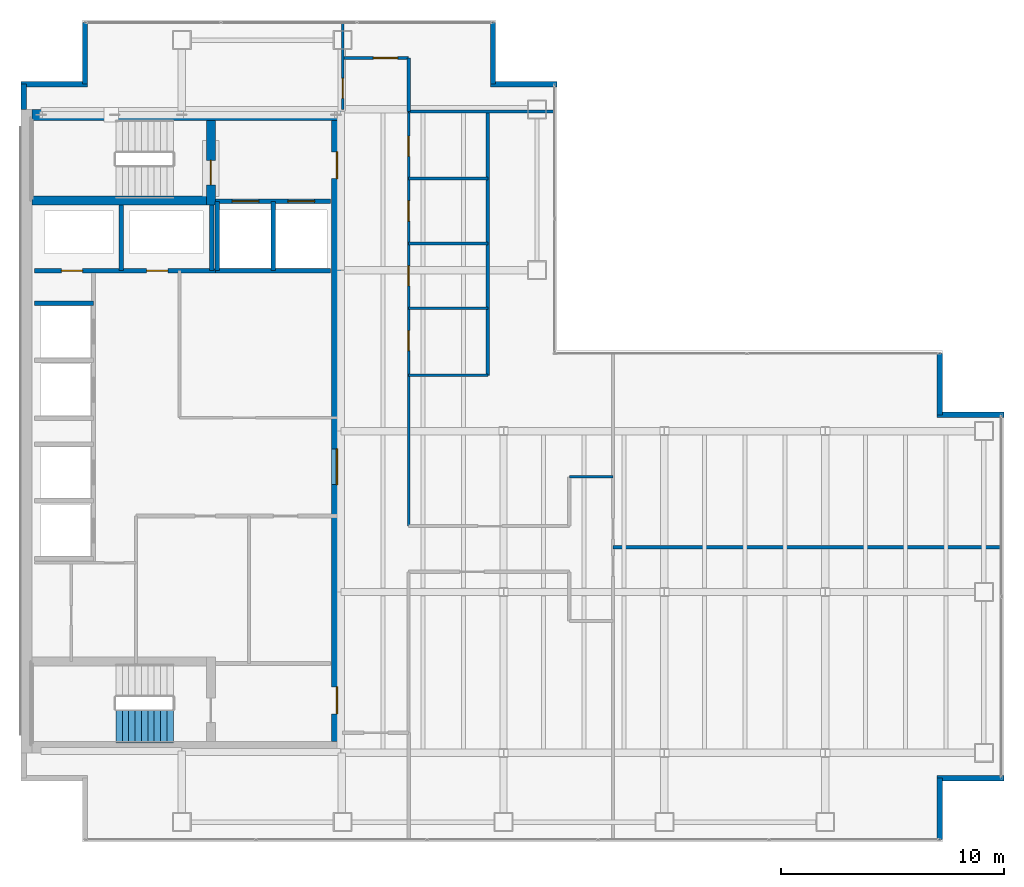
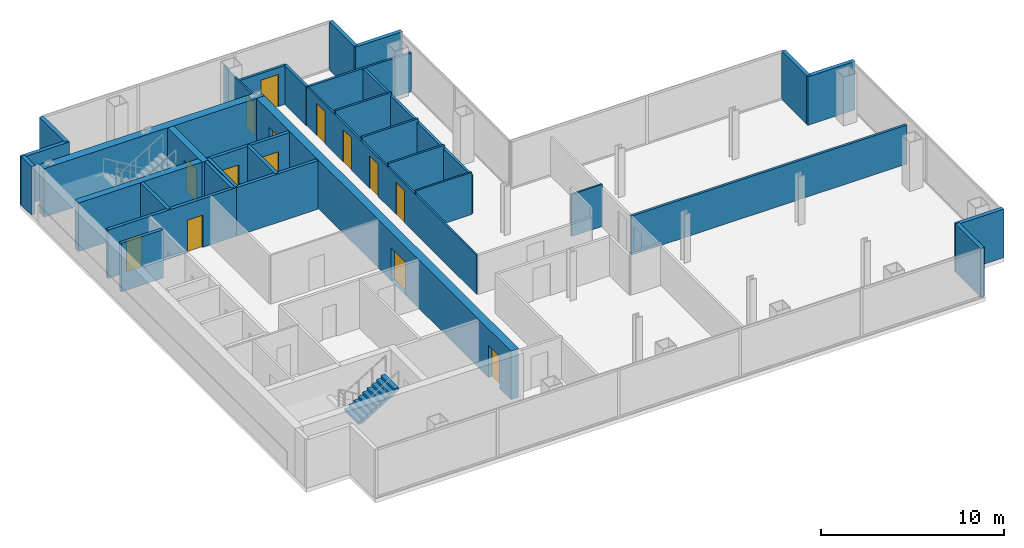
# One storey, part 21 of 23: 33 walls, 14 doors, 1 stair flight, 14 openings, 1 element without a shape of its own.
"""IFC4 building model written with IfcOpenShell, lengths in metres."""

from ifc_helpers import new_model, si_unit, direction, frame, frame_2d, origin, place, context, subcontext, project, spatial, polyline, rectangle, outline, extrude, material, layer, layer_set, type_object, element, fill, aggregate, save


model = new_model("IFC4")

# Units and contexts
model_context = context("Model", 3, precision=1e-05, world=origin(), true_north=direction((0.0, 1.0)))
body_context = subcontext(model_context, "Body", "Model", "MODEL_VIEW")
ifc_project = project(units=[si_unit("LENGTHUNIT", "METRE"), si_unit("AREAUNIT", "SQUARE_METRE"), si_unit("VOLUMEUNIT", "CUBIC_METRE"), si_unit("PLANEANGLEUNIT", "RADIAN"), si_unit("MASSUNIT", "GRAM", prefix="KILO")], contexts=[model_context])

# Site, building, storey
site_placement = place(None, origin())
site = spatial("IfcSite", under=ifc_project, at=site_placement, CompositionType="ELEMENT")
building_placement = place(site_placement, origin())
building = spatial("IfcBuilding", under=site, at=building_placement, Name="Cobrela Telecom Tower", CompositionType="ELEMENT")
storey_placement = place(building_placement, frame((0.0, 0.0, 180.25)))
storey = spatial("IfcBuildingStorey", under=building, at=storey_placement, Name="L45", CompositionType="ELEMENT", Elevation=180.25)

# Wall
ifc_material_1 = material(Name="Concrete C40/50", Category="concrete")
ifc_layer_1 = layer(ifc_material_1, 0.5)
ifc_layer_set_1 = layer_set([ifc_layer_1], Name="Concrete C40/50")
wall_type_1 = type_object("IfcWallType", Name="WALL-CORE-C40-500", PredefinedType="SHEAR", material=ifc_layer_set_1)
wall_1_placement = place(storey_placement, frame((0.5, 35.75, 0.0), z_axis=(0.0, 0.0, 1.0), x_axis=(1.0, 0.0, 0.0)))
element("IfcWall", 1, at=wall_1_placement, inside=storey, type_object=wall_type_1, Name="L45 North Core Shear Wall", PredefinedType="SHEAR", context=body_context, shape_type="SweptSolid", body=[
    extrude(rectangle(XDim=13.89990234375, YDim=0.5, at=frame_2d((6.949951171875, 0.0))), origin(), (0.0, 0.0, 1.0), 3.239990234375),
])

# Wall, openings, doors
wall_2_placement = place(storey_placement, frame((14.14990234375, 35.5, 0.0), z_axis=(0.0, 0.0, 1.0), x_axis=(0.0, -1.0, 0.0)))
wall_2 = element("IfcWall", 2, at=wall_2_placement, inside=storey, type_object=wall_type_1, Name="L45 East Core Shear Wall", PredefinedType="SHEAR", context=body_context, shape_type="SweptSolid", body=[
    extrude(rectangle(XDim=27.800048828125, YDim=0.5, at=frame_2d((13.89990234375, 0.0))), origin(), (0.0, 0.0, 1.0), 3.239990234375),
])
opening_1_placement = place(wall_2_placement, frame((1.39990234375, 0.0, 0.0)))
opening_1 = element("IfcOpeningElement", 3, at=opening_1_placement, cuts=wall_2, Name="Opening DR-19", PredefinedType="OPENING", context=body_context, shape_type="SweptSolid", body=[
    extrude(rectangle(XDim=1.199951171875, YDim=2.14990234375, at=frame_2d((0.60009765625, 1.074951171875))), frame((0.0, 0.261962890625, 0.0), z_axis=(0.0, -1.0, 0.0), x_axis=(1.0, 0.0, 0.0)), (0.0, 0.0, 1.0), 0.52392578125),
])
opening_2_placement = place(wall_2_placement, frame((25.35009765625, 0.0, 0.0)))
opening_2 = element("IfcOpeningElement", 4, at=opening_2_placement, cuts=wall_2, Name="Opening DR-19", PredefinedType="OPENING", context=body_context, shape_type="SweptSolid", body=[
    extrude(rectangle(XDim=1.199951171875, YDim=2.14990234375, at=frame_2d((0.60009765625, 1.074951171875))), frame((0.0, 0.261962890625, 0.0), z_axis=(0.0, -1.0, 0.0), x_axis=(1.0, 0.0, 0.0)), (0.0, 0.0, 1.0), 0.52392578125),
])
opening_3_placement = place(wall_2_placement, frame((14.699951171875, 0.0, 0.0)))
opening_3 = element("IfcOpeningElement", 5, at=opening_3_placement, cuts=wall_2, Name="Opening DR-51", PredefinedType="OPENING", context=body_context, shape_type="SweptSolid", body=[
    extrude(rectangle(XDim=1.60009765625, YDim=2.199951171875, at=frame_2d((0.800048828125, 1.10009765625))), frame((0.0, 0.261962890625, 0.0), z_axis=(0.0, -1.0, 0.0), x_axis=(1.0, 0.0, 0.0)), (0.0, 0.0, 1.0), 0.52392578125),
])
ifc_material_2 = material(Name="Steel ASTM A36", Category="steel")
door_type_1 = type_object("IfcDoorType", Name="DOOR-FD60-1200", OperationType="SINGLE_SWING_LEFT", PredefinedType="DOOR", material=ifc_material_2)
door_1_placement = place(opening_1_placement, origin())
door_1 = element("IfcDoor", 6, at=door_1_placement, inside=storey, type_object=door_type_1, Name="L45 Door DR-19", OperationType="SINGLE_SWING_LEFT", OverallHeight=2.14990234375, OverallWidth=1.199951171875, PredefinedType="DOOR", context=body_context, shape_type="SweptSolid", body=[
    extrude(rectangle(XDim=1.199951171875, YDim=2.14990234375, at=frame_2d((0.60009765625, 1.074951171875))), frame((0.0, 0.02490234375, 0.0), z_axis=(0.0, -1.0, 0.0), x_axis=(1.0, 0.0, 0.0)), (0.0, 0.0, 1.0), 0.050048828125),
])
fill(opening_1, door_1)
door_2_placement = place(opening_2_placement, origin())
door_2 = element("IfcDoor", 7, at=door_2_placement, inside=storey, type_object=door_type_1, Name="L45 Door DR-19", OperationType="SINGLE_SWING_RIGHT", OverallHeight=2.14990234375, OverallWidth=1.199951171875, PredefinedType="DOOR", context=body_context, shape_type="SweptSolid", body=[
    extrude(rectangle(XDim=1.199951171875, YDim=2.14990234375, at=frame_2d((0.60009765625, 1.074951171875))), frame((0.0, 0.02490234375, 0.0), z_axis=(0.0, -1.0, 0.0), x_axis=(1.0, 0.0, 0.0)), (0.0, 0.0, 1.0), 0.050048828125),
])
fill(opening_2, door_2)
door_type_2 = type_object("IfcDoorType", Name="DOOR-FD60-1600", OperationType="SINGLE_SWING_LEFT", PredefinedType="DOOR", material=ifc_material_2)
door_3_placement = place(opening_3_placement, origin())
door_3 = element("IfcDoor", 8, at=door_3_placement, inside=storey, type_object=door_type_2, Name="L45 Door DR-51", OperationType="DOUBLE_DOOR_SINGLE_SWING", OverallHeight=2.199951171875, OverallWidth=1.60009765625, PredefinedType="DOOR", context=body_context, shape_type="SweptSolid", body=[
    extrude(rectangle(XDim=1.60009765625, YDim=2.199951171875, at=frame_2d((0.800048828125, 1.10009765625))), frame((0.0, 0.02490234375, 0.0), z_axis=(0.0, -1.0, 0.0), x_axis=(1.0, 0.0, 0.0)), (0.0, 0.0, 1.0), 0.050048828125),
])
fill(opening_3, door_3)

# Walls
ifc_layer_2 = layer(ifc_material_1, 0.239990234375)
ifc_layer_set_2 = layer_set([ifc_layer_2], Name="Concrete C40/50")
wall_type_2 = type_object("IfcWallType", Name="WALL-EXT-300", PredefinedType="STANDARD", material=ifc_layer_set_2)
wall_3_placement = place(storey_placement, frame((0.1201171875, 36.0, 0.0), z_axis=(0.0, 0.0, 1.0), x_axis=(0.0, 1.0, 0.0)))
element("IfcWall", 9, at=wall_3_placement, inside=storey, type_object=wall_type_2, Name="L45 Insulated Facade Wall 04", PredefinedType="STANDARD", context=body_context, shape_type="SweptSolid", body=[
    extrude(rectangle(XDim=1.1298828125, YDim=0.239990234375, at=frame_2d((0.56494140625, 0.0))), origin(), (0.0, 0.0, 1.0), 3.239990234375),
])
wall_4_placement = place(storey_placement, frame((0.0, 37.1298828125, 0.0), z_axis=(0.0, 0.0, 1.0), x_axis=(1.0, 0.0, 0.0)))
element("IfcWall", 10, at=wall_4_placement, inside=storey, type_object=wall_type_2, Name="L45 Insulated Facade Wall 05", PredefinedType="STANDARD", context=body_context, shape_type="SweptSolid", body=[
    extrude(rectangle(XDim=2.989990234375, YDim=0.239990234375, at=frame_2d((1.4951171875, 0.0))), origin(), (0.0, 0.0, 1.0), 3.239990234375),
])
for number, where, z_axis, x_axis, name in (
    (11, (2.8701171875, 37.1298828125, 0.0), (0.0, 0.0, 1.0), (0.0, 1.0, 0.0), "L45 Insulated Facade Wall 06"),
    (12, (21.1298828125, 39.8798828125, 0.0), (0.0, 0.0, 1.0), (0.0, -1.0, 0.0), "L45 Insulated Facade Wall 08"),
):
    element("IfcWall", number, at=place(storey_placement, frame(where, z_axis=z_axis, x_axis=x_axis)), inside=storey, type_object=wall_type_2, Name=name, PredefinedType="STANDARD", context=body_context, shape_type="SweptSolid", body=[
        extrude(rectangle(XDim=2.75, YDim=0.239990234375, at=frame_2d((1.375, 0.0))), origin(), (0.0, 0.0, 1.0), 3.239990234375),
    ])
wall_5_placement = place(storey_placement, frame((21.010009765625, 37.1298828125, 0.0), z_axis=(0.0, 0.0, 1.0), x_axis=(1.0, 0.0, 0.0)))
element("IfcWall", 13, at=wall_5_placement, inside=storey, type_object=wall_type_2, Name="L45 Insulated Facade Wall 09", PredefinedType="STANDARD", context=body_context, shape_type="SweptSolid", body=[
    extrude(rectangle(XDim=2.989990234375, YDim=0.239990234375, at=frame_2d((1.4951171875, 0.0))), origin(), (0.0, 0.0, 1.0), 3.239990234375),
])
wall_6_placement = place(storey_placement, frame((41.1298828125, 25.080078125, 0.0), z_axis=(0.0, 0.0, 1.0), x_axis=(0.0, -1.0, 0.0)))
element("IfcWall", 14, at=wall_6_placement, inside=storey, type_object=wall_type_2, Name="L45 Insulated Facade Wall 12", PredefinedType="STANDARD", context=body_context, shape_type="SweptSolid", body=[
    extrude(rectangle(XDim=2.75, YDim=0.239990234375, at=frame_2d((1.375, 0.0))), origin(), (0.0, 0.0, 1.0), 3.239990234375),
])
for number, where, z_axis, x_axis, name in (
    (15, (41.010009765625, 22.330078125, 0.0), (0.0, 0.0, 1.0), (1.0, 0.0, 0.0), "L45 Insulated Facade Wall 13"),
    (16, (44.0, 6.070068359375, 0.0), (0.0, 0.0, 1.0), (-1.0, 0.0, 0.0), "L45 Insulated Facade Wall 15"),
):
    element("IfcWall", number, at=place(storey_placement, frame(where, z_axis=z_axis, x_axis=x_axis)), inside=storey, type_object=wall_type_2, Name=name, PredefinedType="STANDARD", context=body_context, shape_type="SweptSolid", body=[
        extrude(rectangle(XDim=2.989990234375, YDim=0.239990234375, at=frame_2d((1.4951171875, 0.0))), origin(), (0.0, 0.0, 1.0), 3.239990234375),
    ])
wall_7_placement = place(storey_placement, frame((41.1298828125, 6.070068359375, 0.0), z_axis=(0.0, 0.0, 1.0), x_axis=(0.0, -1.0, 0.0)))
element("IfcWall", 17, at=wall_7_placement, inside=storey, type_object=wall_type_2, Name="L45 Insulated Facade Wall 16", PredefinedType="STANDARD", context=body_context, shape_type="SweptSolid", body=[
    extrude(rectangle(XDim=2.75, YDim=0.239990234375, at=frame_2d((1.375, 0.0))), origin(), (0.0, 0.0, 1.0), 3.239990234375),
])

# Wall, openings, doors
ifc_material_3 = material(Name="Fire-Rated Gypsum Plasterboard")
ifc_layer_3 = layer(ifc_material_3, 0.110107421875)
ifc_layer_set_3 = layer_set([ifc_layer_3], Name="Fire-Rated Gypsum Plasterboard")
wall_type_3 = type_object("IfcWallType", Name="WALL-PART-110", PredefinedType="PARTITIONING", material=ifc_layer_set_3)
wall_8_placement = place(storey_placement, frame((17.35009765625, 17.35009765625, 0.0), z_axis=(0.0, 0.0, 1.0), x_axis=(0.0, 1.0, 0.0)))
wall_8 = element("IfcWall", 18, at=wall_8_placement, inside=storey, type_object=wall_type_3, Name="L45 Interior Partition W-C-E2", PredefinedType="PARTITIONING", context=body_context, shape_type="SweptSolid", body=[
    extrude(rectangle(XDim=18.5498046875, YDim=0.110107421875, at=frame_2d((9.27490234375, 0.0))), origin(), (0.0, 0.0, 1.0), 2.60302734375),
])
opening_4_placement = place(wall_8_placement, frame((7.85009765625, 0.0, 0.0)))
opening_4 = element("IfcOpeningElement", 19, at=opening_4_placement, cuts=wall_8, Name="Opening DR-41", PredefinedType="OPENING", context=body_context, shape_type="SweptSolid", body=[
    extrude(rectangle(XDim=0.89990234375, YDim=2.14990234375, at=frame_2d((0.449951171875, 1.074951171875))), frame((0.0, 0.06689453125, 0.0), z_axis=(0.0, -1.0, 0.0), x_axis=(1.0, 0.0, 0.0)), (0.0, 0.0, 1.0), 0.134033203125),
])
opening_5_placement = place(wall_8_placement, frame((10.75, 0.0, 0.0)))
opening_5 = element("IfcOpeningElement", 20, at=opening_5_placement, cuts=wall_8, Name="Opening DR-41", PredefinedType="OPENING", context=body_context, shape_type="SweptSolid", body=[
    extrude(rectangle(XDim=0.89990234375, YDim=2.14990234375, at=frame_2d((0.449951171875, 1.074951171875))), frame((0.0, 0.06689453125, 0.0), z_axis=(0.0, -1.0, 0.0), x_axis=(1.0, 0.0, 0.0)), (0.0, 0.0, 1.0), 0.134033203125),
])
opening_6_placement = place(wall_8_placement, frame((13.64990234375, 0.0, 0.0)))
opening_6 = element("IfcOpeningElement", 21, at=opening_6_placement, cuts=wall_8, Name="Opening DR-41", PredefinedType="OPENING", context=body_context, shape_type="SweptSolid", body=[
    extrude(rectangle(XDim=0.89990234375, YDim=2.14990234375, at=frame_2d((0.449951171875, 1.074951171875))), frame((0.0, 0.06689453125, 0.0), z_axis=(0.0, -1.0, 0.0), x_axis=(1.0, 0.0, 0.0)), (0.0, 0.0, 1.0), 0.134033203125),
])
opening_7_placement = place(wall_8_placement, frame((16.550048828125, 0.0, 0.0)))
opening_7 = element("IfcOpeningElement", 22, at=opening_7_placement, cuts=wall_8, Name="Opening DR-41", PredefinedType="OPENING", context=body_context, shape_type="SweptSolid", body=[
    extrude(rectangle(XDim=0.89990234375, YDim=2.14990234375, at=frame_2d((0.449951171875, 1.074951171875))), frame((0.0, 0.06689453125, 0.0), z_axis=(0.0, -1.0, 0.0), x_axis=(1.0, 0.0, 0.0)), (0.0, 0.0, 1.0), 0.134033203125),
])
ifc_material_4 = material(Name="Solid Engineered Oak Timber", Category="wood")
door_type_3 = type_object("IfcDoorType", Name="DOOR-INT-900", OperationType="SINGLE_SWING_LEFT", PredefinedType="DOOR", material=ifc_material_4)
door_4_placement = place(opening_4_placement, origin())
door_4 = element("IfcDoor", 23, at=door_4_placement, inside=storey, type_object=door_type_3, Name="L45 Door DR-41", OperationType="SINGLE_SWING_LEFT", OverallHeight=2.14990234375, OverallWidth=0.89990234375, PredefinedType="DOOR", context=body_context, shape_type="SweptSolid", body=[
    extrude(rectangle(XDim=0.89990234375, YDim=2.14990234375, at=frame_2d((0.449951171875, 1.074951171875))), frame((0.0, 0.02490234375, 0.0), z_axis=(0.0, -1.0, 0.0), x_axis=(1.0, 0.0, 0.0)), (0.0, 0.0, 1.0), 0.050048828125),
])
fill(opening_4, door_4)
door_5_placement = place(opening_5_placement, origin())
door_5 = element("IfcDoor", 24, at=door_5_placement, inside=storey, type_object=door_type_3, Name="L45 Door DR-41", OperationType="SINGLE_SWING_RIGHT", OverallHeight=2.14990234375, OverallWidth=0.89990234375, PredefinedType="DOOR", context=body_context, shape_type="SweptSolid", body=[
    extrude(rectangle(XDim=0.89990234375, YDim=2.14990234375, at=frame_2d((0.449951171875, 1.074951171875))), frame((0.0, 0.02490234375, 0.0), z_axis=(0.0, -1.0, 0.0), x_axis=(1.0, 0.0, 0.0)), (0.0, 0.0, 1.0), 0.050048828125),
])
fill(opening_5, door_5)
door_6_placement = place(opening_6_placement, origin())
door_6 = element("IfcDoor", 25, at=door_6_placement, inside=storey, type_object=door_type_3, Name="L45 Door DR-41", OperationType="SINGLE_SWING_LEFT", OverallHeight=2.14990234375, OverallWidth=0.89990234375, PredefinedType="DOOR", context=body_context, shape_type="SweptSolid", body=[
    extrude(rectangle(XDim=0.89990234375, YDim=2.14990234375, at=frame_2d((0.449951171875, 1.074951171875))), frame((0.0, 0.02490234375, 0.0), z_axis=(0.0, -1.0, 0.0), x_axis=(1.0, 0.0, 0.0)), (0.0, 0.0, 1.0), 0.050048828125),
])
fill(opening_6, door_6)
door_7_placement = place(opening_7_placement, origin())
door_7 = element("IfcDoor", 26, at=door_7_placement, inside=storey, type_object=door_type_3, Name="L45 Door DR-41", OperationType="SINGLE_SWING_RIGHT", OverallHeight=2.14990234375, OverallWidth=0.89990234375, PredefinedType="DOOR", context=body_context, shape_type="SweptSolid", body=[
    extrude(rectangle(XDim=0.89990234375, YDim=2.14990234375, at=frame_2d((0.449951171875, 1.074951171875))), frame((0.0, 0.02490234375, 0.0), z_axis=(0.0, -1.0, 0.0), x_axis=(1.0, 0.0, 0.0)), (0.0, 0.0, 1.0), 0.050048828125),
])
fill(opening_7, door_7)

# Wall
wall_9_placement = place(storey_placement, frame((24.550048828125, 19.550048828125, 0.0), z_axis=(0.0, 0.0, 1.0), x_axis=(1.0, 0.0, 0.0)))
element("IfcWall", 27, at=wall_9_placement, inside=storey, type_object=wall_type_3, Name="L45 Interior Partition W-CT-N", PredefinedType="PARTITIONING", context=body_context, shape_type="SweptSolid", body=[
    extrude(rectangle(XDim=1.949951171875, YDim=0.110107421875, at=frame_2d((0.97509765625, 0.0))), origin(), (0.0, 0.0, 1.0), 2.80810546875),
])

# Wall, opening, door
wall_10_placement = place(storey_placement, frame((14.39990234375, 36.0, 0.0), z_axis=(0.0, 0.0, 1.0), x_axis=(0.0, 1.0, 0.0)))
wall_10 = element("IfcWall", 28, at=wall_10_placement, inside=storey, type_object=wall_type_3, Name="L45 Interior Partition W-CN-W", PredefinedType="PARTITIONING", context=body_context, shape_type="SweptSolid", body=[
    extrude(rectangle(XDim=3.8798828125, YDim=0.110107421875, at=frame_2d((1.93994140625, 0.0))), origin(), (0.0, 0.0, 1.0), 2.60302734375),
])
opening_8_placement = place(wall_10_placement, frame((0.489990234375, 0.0, 0.0)))
opening_8 = element("IfcOpeningElement", 29, at=opening_8_placement, cuts=wall_10, Name="Opening DR-41", PredefinedType="OPENING", context=body_context, shape_type="SweptSolid", body=[
    extrude(rectangle(XDim=0.89990234375, YDim=2.14990234375, at=frame_2d((0.449951171875, 1.074951171875))), frame((0.0, 0.06689453125, 0.0), z_axis=(0.0, -1.0, 0.0), x_axis=(1.0, 0.0, 0.0)), (0.0, 0.0, 1.0), 0.134033203125),
])
door_8_placement = place(opening_8_placement, origin())
door_8 = element("IfcDoor", 30, at=door_8_placement, inside=storey, type_object=door_type_3, Name="L45 Door DR-41", OperationType="SINGLE_SWING_LEFT", OverallHeight=2.14990234375, OverallWidth=0.89990234375, PredefinedType="DOOR", context=body_context, shape_type="SweptSolid", body=[
    extrude(rectangle(XDim=0.89990234375, YDim=2.14990234375, at=frame_2d((0.449951171875, 1.074951171875))), frame((0.0, 0.02490234375, 0.0), z_axis=(0.0, -1.0, 0.0), x_axis=(1.0, 0.0, 0.0)), (0.0, 0.0, 1.0), 0.050048828125),
])
fill(opening_8, door_8)

# Walls
wall_11_placement = place(storey_placement, frame((17.35009765625, 24.10009765625, 0.0), z_axis=(0.0, 0.0, 1.0), x_axis=(1.0, 0.0, 0.0)))
element("IfcWall", 31, at=wall_11_placement, inside=storey, type_object=wall_type_3, Name="L45 Interior Partition W-WC-S", PredefinedType="PARTITIONING", context=body_context, shape_type="SweptSolid", body=[
    extrude(rectangle(XDim=3.5498046875, YDim=0.110107421875, at=frame_2d((1.77490234375, 0.0))), origin(), (0.0, 0.0, 1.0), 2.80810546875),
])
ifc_layer_4 = layer(ifc_material_3, 0.125)
ifc_layer_set_4 = layer_set([ifc_layer_4], Name="Fire-Rated Gypsum Plasterboard")
wall_type_4 = type_object("IfcWallType", Name="WALL-PART-125", PredefinedType="PARTITIONING", material=ifc_layer_set_4)
for number, where, z_axis, x_axis, name in (
    (32, (17.35009765625, 27.10009765625, 0.0), (0.0, 0.0, 1.0), (1.0, 0.0, 0.0), "L45 Interior Partition W-WCD-1"),
    (33, (17.35009765625, 30.0, 0.0), (0.0, 0.0, 1.0), (1.0, 0.0, 0.0), "L45 Interior Partition W-WCD-2"),
    (34, (17.35009765625, 32.89990234375, 0.0), (0.0, 0.0, 1.0), (1.0, 0.0, 0.0), "L45 Interior Partition W-WCD-3"),
):
    element("IfcWall", number, at=place(storey_placement, frame(where, z_axis=z_axis, x_axis=x_axis)), inside=storey, type_object=wall_type_4, Name=name, PredefinedType="PARTITIONING", context=body_context, shape_type="SweptSolid", body=[
        extrude(rectangle(XDim=3.5498046875, YDim=0.125, at=frame_2d((1.77490234375, 0.0))), origin(), (0.0, 0.0, 1.0), 2.80810546875),
    ])
ifc_layer_5 = layer(ifc_material_3, 0.135009765625)
ifc_layer_set_5 = layer_set([ifc_layer_5], Name="Fire-Rated Gypsum Plasterboard")
wall_type_5 = type_object("IfcWallType", Name="WALL-PART-135", PredefinedType="PARTITIONING", material=ifc_layer_set_5)
wall_12_placement = place(storey_placement, frame((17.35009765625, 35.89990234375, 0.0), z_axis=(0.0, 0.0, 1.0), x_axis=(1.0, 0.0, 0.0)))
element("IfcWall", 35, at=wall_12_placement, inside=storey, type_object=wall_type_5, Name="L45 Interior Partition W-NW2-S", PredefinedType="PARTITIONING", context=body_context, shape_type="SweptSolid", body=[
    extrude(rectangle(XDim=6.52978515625, YDim=0.135009765625, at=frame_2d((3.264892578125, 0.0))), origin(), (0.0, 0.0, 1.0), 2.60302734375),
])

# Wall, opening, door
ifc_layer_6 = layer(ifc_material_3, 0.14990234375)
ifc_layer_set_6 = layer_set([ifc_layer_6], Name="Fire-Rated Gypsum Plasterboard")
wall_type_6 = type_object("IfcWallType", Name="WALL-PART-150", PredefinedType="PARTITIONING", material=ifc_layer_set_6)
wall_13_placement = place(storey_placement, frame((14.39990234375, 38.300048828125, 0.0), z_axis=(0.0, 0.0, 1.0), x_axis=(1.0, 0.0, 0.0)))
wall_13 = element("IfcWall", 36, at=wall_13_placement, inside=storey, type_object=wall_type_6, Name="L45 Interior Partition W-CN-T", PredefinedType="PARTITIONING", context=body_context, shape_type="SweptSolid", body=[
    extrude(rectangle(XDim=2.9501953125, YDim=0.14990234375, at=frame_2d((1.47509765625, 0.0))), origin(), (0.0, 0.0, 1.0), 2.60302734375),
])
opening_9_placement = place(wall_13_placement, frame((1.3798828125, 0.0, 0.0)))
opening_9 = element("IfcOpeningElement", 37, at=opening_9_placement, cuts=wall_13, Name="Opening DR-63", PredefinedType="OPENING", context=body_context, shape_type="SweptSolid", body=[
    extrude(rectangle(XDim=1.080078125, YDim=2.14990234375, at=frame_2d((0.5400390625, 1.074951171875))), frame((0.0, 0.0869140625, 0.0), z_axis=(0.0, -1.0, 0.0), x_axis=(1.0, 0.0, 0.0)), (0.0, 0.0, 1.0), 0.173828125),
])
door_type_4 = type_object("IfcDoorType", Name="DOOR-INT-1080", OperationType="SINGLE_SWING_LEFT", PredefinedType="DOOR", material=ifc_material_4)
door_9_placement = place(opening_9_placement, origin())
door_9 = element("IfcDoor", 38, at=door_9_placement, inside=storey, type_object=door_type_4, Name="L45 Door DR-63", OperationType="SINGLE_SWING_RIGHT", OverallHeight=2.14990234375, OverallWidth=1.080078125, PredefinedType="DOOR", context=body_context, shape_type="SweptSolid", body=[
    extrude(rectangle(XDim=1.080078125, YDim=2.14990234375, at=frame_2d((0.5400390625, 1.074951171875))), frame((0.0, 0.02490234375, 0.0), z_axis=(0.0, -1.0, 0.0), x_axis=(1.0, 0.0, 0.0)), (0.0, 0.0, 1.0), 0.050048828125),
])
fill(opening_9, door_9)

# Walls
wall_14_placement = place(storey_placement, frame((26.5, 16.39990234375, 0.0), z_axis=(0.0, 0.0, 1.0), x_axis=(1.0, 0.0, 0.0)))
element("IfcWall", 39, at=wall_14_placement, inside=storey, type_object=wall_type_6, Name="L45 Interior Partition W-FE-H", PredefinedType="PARTITIONING", context=body_context, shape_type="SweptSolid", body=[
    extrude(rectangle(XDim=17.3798828125, YDim=0.14990234375, at=frame_2d((8.68994140625, 0.0))), origin(), (0.0, 0.0, 1.0), 2.60302734375),
])
ifc_layer_7 = layer(ifc_material_3, 0.159912109375)
ifc_layer_set_7 = layer_set([ifc_layer_7], Name="Fire-Rated Gypsum Plasterboard")
wall_type_7 = type_object("IfcWallType", Name="WALL-PART-160", PredefinedType="PARTITIONING", material=ifc_layer_set_7)
wall_15_placement = place(storey_placement, frame((17.35009765625, 35.89990234375, 0.0), z_axis=(0.0, 0.0, 1.0), x_axis=(0.0, 1.0, 0.0)))
element("IfcWall", 40, at=wall_15_placement, inside=storey, type_object=wall_type_7, Name="L45 Interior Partition W-CN-E", PredefinedType="PARTITIONING", context=body_context, shape_type="SweptSolid", body=[
    extrude(rectangle(XDim=2.400146484375, YDim=0.159912109375, at=frame_2d((1.2001953125, 0.0))), origin(), (0.0, 0.0, 1.0), 2.60302734375),
])
wall_16_placement = place(storey_placement, frame((20.89990234375, 24.10009765625, 0.0), z_axis=(0.0, 0.0, 1.0), x_axis=(0.0, 1.0, 0.0)))
element("IfcWall", 41, at=wall_16_placement, inside=storey, type_object=wall_type_7, Name="L45 Interior Partition W-WC-E", PredefinedType="PARTITIONING", context=body_context, shape_type="SweptSolid", body=[
    extrude(rectangle(XDim=11.7998046875, YDim=0.159912109375, at=frame_2d((5.89990234375, 0.0))), origin(), (0.0, 0.0, 1.0), 2.60302734375),
])

# Wall, openings, doors
ifc_layer_8 = layer(ifc_material_3, 0.199951171875)
ifc_layer_set_8 = layer_set([ifc_layer_8], Name="Fire-Rated Gypsum Plasterboard")
wall_type_8 = type_object("IfcWallType", Name="WALL-SHAFT-200", PredefinedType="PARTITIONING", material=ifc_layer_set_8)
wall_17_placement = place(storey_placement, frame((8.699951171875, 31.8798828125, 0.0), z_axis=(0.0, 0.0, 1.0), x_axis=(1.0, 0.0, 0.0)))
wall_17 = element("IfcWall", 42, at=wall_17_placement, inside=storey, type_object=wall_type_8, Name="L45 Shaft Enclosure CW-FFL-S", PredefinedType="PARTITIONING", context=body_context, shape_type="SweptSolid", body=[
    extrude(rectangle(XDim=5.150146484375, YDim=0.199951171875, at=frame_2d((2.5751953125, 0.0))), origin(), (0.0, 0.0, 1.0), 3.239990234375),
])
opening_10_placement = place(wall_17_placement, frame((0.75, 0.0, 0.0)))
opening_10 = element("IfcOpeningElement", 43, at=opening_10_placement, cuts=wall_17, Name="Opening LD-2", PredefinedType="OPENING", context=body_context, shape_type="SweptSolid", body=[
    extrude(rectangle(XDim=1.199951171875, YDim=2.199951171875, at=frame_2d((0.60009765625, 1.10009765625))), frame((0.0, 0.11181640625, 0.0), z_axis=(0.0, -1.0, 0.0), x_axis=(1.0, 0.0, 0.0)), (0.0, 0.0, 1.0), 0.223876953125),
])
opening_11_placement = place(wall_17_placement, frame((3.25, 0.0, 0.0)))
opening_11 = element("IfcOpeningElement", 44, at=opening_11_placement, cuts=wall_17, Name="Opening LD-2", PredefinedType="OPENING", context=body_context, shape_type="SweptSolid", body=[
    extrude(rectangle(XDim=1.199951171875, YDim=2.199951171875, at=frame_2d((0.60009765625, 1.10009765625))), frame((0.0, 0.11181640625, 0.0), z_axis=(0.0, -1.0, 0.0), x_axis=(1.0, 0.0, 0.0)), (0.0, 0.0, 1.0), 0.223876953125),
])
door_type_5 = type_object("IfcDoorType", Name="DOOR-LD-FFL", OperationType="SINGLE_SWING_LEFT", PredefinedType="DOOR", material=ifc_material_2)
door_10_placement = place(opening_10_placement, origin())
door_10 = element("IfcDoor", 45, at=door_10_placement, inside=storey, type_object=door_type_5, Name="L45 Lift Landing Door LD-2", OperationType="DOUBLE_DOOR_SLIDING", OverallHeight=2.199951171875, OverallWidth=1.199951171875, PredefinedType="DOOR", context=body_context, shape_type="SweptSolid", body=[
    extrude(rectangle(XDim=1.199951171875, YDim=2.199951171875, at=frame_2d((0.60009765625, 1.10009765625))), frame((0.0, 0.02490234375, 0.0), z_axis=(0.0, -1.0, 0.0), x_axis=(1.0, 0.0, 0.0)), (0.0, 0.0, 1.0), 0.050048828125),
])
fill(opening_10, door_10)
door_11_placement = place(opening_11_placement, origin())
door_11 = element("IfcDoor", 46, at=door_11_placement, inside=storey, type_object=door_type_5, Name="L45 Lift Landing Door LD-2", OperationType="DOUBLE_DOOR_SLIDING", OverallHeight=2.199951171875, OverallWidth=1.199951171875, PredefinedType="DOOR", context=body_context, shape_type="SweptSolid", body=[
    extrude(rectangle(XDim=1.199951171875, YDim=2.199951171875, at=frame_2d((0.60009765625, 1.10009765625))), frame((0.0, 0.02490234375, 0.0), z_axis=(0.0, -1.0, 0.0), x_axis=(1.0, 0.0, 0.0)), (0.0, 0.0, 1.0), 0.050048828125),
])
fill(opening_11, door_11)

# Walls
wall_18_placement = place(storey_placement, frame((8.699951171875, 28.780029296875, 0.0), z_axis=(0.0, 0.0, 1.0), x_axis=(1.0, 0.0, 0.0)))
element("IfcWall", 47, at=wall_18_placement, inside=storey, type_object=wall_type_8, Name="L45 Shaft Enclosure CW-FFL-S2", PredefinedType="PARTITIONING", context=body_context, shape_type="SweptSolid", body=[
    extrude(rectangle(XDim=5.150146484375, YDim=0.199951171875, at=frame_2d((2.5751953125, 0.0))), origin(), (0.0, 0.0, 1.0), 3.239990234375),
])
for number, where, z_axis, x_axis, name in (
    (48, (8.780029296875, 28.780029296875, 0.0), (0.0, 0.0, 1.0), (0.0, 1.0, 0.0), "L45 Shaft Enclosure CW-FFL-W"),
    (49, (11.300048828125, 28.780029296875, 0.0), (0.0, 0.0, 1.0), (0.0, 1.0, 0.0), "L45 Shaft Enclosure CW-FFL-M"),
):
    element("IfcWall", number, at=place(storey_placement, frame(where, z_axis=z_axis, x_axis=x_axis)), inside=storey, type_object=wall_type_8, Name=name, PredefinedType="PARTITIONING", context=body_context, shape_type="SweptSolid", body=[
        extrude(rectangle(XDim=3.099853515625, YDim=0.199951171875, at=frame_2d((1.5498046875, 0.0))), origin(), (0.0, 0.0, 1.0), 3.239990234375),
    ])

# Wall, openings, doors
wall_19_placement = place(storey_placement, frame((0.60009765625, 28.780029296875, 0.0), z_axis=(0.0, 0.0, 1.0), x_axis=(1.0, 0.0, 0.0)))
wall_19 = element("IfcWall", 50, at=wall_19_placement, inside=storey, type_object=wall_type_8, Name="L45 Shaft Enclosure CW-RIS-S", PredefinedType="PARTITIONING", context=body_context, shape_type="SweptSolid", body=[
    extrude(rectangle(XDim=8.179931640625, YDim=0.199951171875, at=frame_2d((4.08984375, 0.0))), origin(), (0.0, 0.0, 1.0), 3.239990234375),
])
opening_12_placement = place(wall_19_placement, frame((1.2099609375, 0.0, 0.0)))
opening_12 = element("IfcOpeningElement", 51, at=opening_12_placement, cuts=wall_19, Name="Opening DR-65", PredefinedType="OPENING", context=body_context, shape_type="SweptSolid", body=[
    extrude(rectangle(XDim=0.949951171875, YDim=2.14990234375, at=frame_2d((0.47509765625, 1.074951171875))), frame((0.0, 0.11181640625, 0.0), z_axis=(0.0, -1.0, 0.0), x_axis=(1.0, 0.0, 0.0)), (0.0, 0.0, 1.0), 0.223876953125),
])
opening_13_placement = place(wall_19_placement, frame((5.030029296875, 0.0, 0.0)))
opening_13 = element("IfcOpeningElement", 52, at=opening_13_placement, cuts=wall_19, Name="Opening DR-65", PredefinedType="OPENING", context=body_context, shape_type="SweptSolid", body=[
    extrude(rectangle(XDim=0.949951171875, YDim=2.14990234375, at=frame_2d((0.47509765625, 1.074951171875))), frame((0.0, 0.11181640625, 0.0), z_axis=(0.0, -1.0, 0.0), x_axis=(1.0, 0.0, 0.0)), (0.0, 0.0, 1.0), 0.223876953125),
])
door_type_6 = type_object("IfcDoorType", Name="DOOR-FD60-950", OperationType="SINGLE_SWING_LEFT", PredefinedType="DOOR", material=ifc_material_2)
door_12_placement = place(opening_12_placement, origin())
door_12 = element("IfcDoor", 53, at=door_12_placement, inside=storey, type_object=door_type_6, Name="L45 Door DR-65", OperationType="SINGLE_SWING_LEFT", OverallHeight=2.14990234375, OverallWidth=0.949951171875, PredefinedType="DOOR", context=body_context, shape_type="SweptSolid", body=[
    extrude(rectangle(XDim=0.949951171875, YDim=2.14990234375, at=frame_2d((0.47509765625, 1.074951171875))), frame((0.0, 0.02490234375, 0.0), z_axis=(0.0, -1.0, 0.0), x_axis=(1.0, 0.0, 0.0)), (0.0, 0.0, 1.0), 0.050048828125),
])
fill(opening_12, door_12)
door_13_placement = place(opening_13_placement, origin())
door_13 = element("IfcDoor", 54, at=door_13_placement, inside=storey, type_object=door_type_6, Name="L45 Door DR-65", OperationType="SINGLE_SWING_RIGHT", OverallHeight=2.14990234375, OverallWidth=0.949951171875, PredefinedType="DOOR", context=body_context, shape_type="SweptSolid", body=[
    extrude(rectangle(XDim=0.949951171875, YDim=2.14990234375, at=frame_2d((0.47509765625, 1.074951171875))), frame((0.0, 0.02490234375, 0.0), z_axis=(0.0, -1.0, 0.0), x_axis=(1.0, 0.0, 0.0)), (0.0, 0.0, 1.0), 0.050048828125),
])
fill(opening_13, door_13)

# Walls
for number, where, z_axis, x_axis, name in (
    (55, (4.5, 28.780029296875, 0.0), (0.0, 0.0, 1.0), (0.0, 1.0, 0.0), "L45 Shaft Enclosure CW-RIS-M"),
    (56, (8.550048828125, 28.780029296875, 0.0), (0.0, 0.0, 1.0), (0.0, 1.0, 0.0), "L45 Shaft Enclosure CW-RIS-E"),
):
    element("IfcWall", number, at=place(storey_placement, frame(where, z_axis=z_axis, x_axis=x_axis)), inside=storey, type_object=wall_type_8, Name=name, PredefinedType="PARTITIONING", context=body_context, shape_type="SweptSolid", body=[
        extrude(rectangle(XDim=2.93994140625, YDim=0.199951171875, at=frame_2d((1.469970703125, 0.0))), origin(), (0.0, 0.0, 1.0), 3.239990234375),
    ])
wall_20_placement = place(storey_placement, frame((0.60009765625, 27.320068359375, 0.0), z_axis=(0.0, 0.0, 1.0), x_axis=(1.0, 0.0, 0.0)))
element("IfcWall", 57, at=wall_20_placement, inside=storey, type_object=wall_type_8, Name="L45 Shaft Enclosure CW-PLH-TOP", PredefinedType="PARTITIONING", context=body_context, shape_type="SweptSolid", body=[
    extrude(rectangle(XDim=2.64990234375, YDim=0.199951171875, at=frame_2d((1.324951171875, 0.0))), origin(), (0.0, 0.0, 1.0), 3.239990234375),
])
ifc_layer_9 = layer(ifc_material_1, 0.39990234375)
ifc_layer_set_9 = layer_set([ifc_layer_9], Name="Concrete C40/50")
wall_type_9 = type_object("IfcWallType", Name="WALL-SHAFT-C40-400", PredefinedType="SHEAR", material=ifc_layer_set_9)
wall_21_placement = place(storey_placement, frame((0.5, 31.919921875, 0.0), z_axis=(0.0, 0.0, 1.0), x_axis=(1.0, 0.0, 0.0)))
element("IfcWall", 58, at=wall_21_placement, inside=storey, type_object=wall_type_9, Name="L45 North Stair Shear Wall", PredefinedType="SHEAR", context=body_context, shape_type="SweptSolid", body=[
    extrude(rectangle(XDim=7.800048828125, YDim=0.39990234375, at=frame_2d((3.89990234375, 0.0))), origin(), (0.0, 0.0, 1.0), 3.239990234375),
])

# Wall, opening, door
wall_22_placement = place(storey_placement, frame((8.5, 31.719970703125, 0.0), z_axis=(0.0, 0.0, 1.0), x_axis=(0.0, 1.0, 0.0)))
wall_22 = element("IfcWall", 59, at=wall_22_placement, inside=storey, type_object=wall_type_9, Name="L45 North Stair Lobby Shear Wall", PredefinedType="SHEAR", context=body_context, shape_type="SweptSolid", body=[
    extrude(rectangle(XDim=3.780029296875, YDim=0.39990234375, at=frame_2d((1.89013671875, 0.0))), origin(), (0.0, 0.0, 1.0), 3.239990234375),
])
opening_14_placement = place(wall_22_placement, frame((0.89990234375, 0.0, 0.0)))
opening_14 = element("IfcOpeningElement", 60, at=opening_14_placement, cuts=wall_22, Name="Opening DR-59", PredefinedType="OPENING", context=body_context, shape_type="SweptSolid", body=[
    extrude(rectangle(XDim=1.10009765625, YDim=2.14990234375, at=frame_2d((0.550048828125, 1.074951171875))), frame((0.0, 0.2119140625, 0.0), z_axis=(0.0, -1.0, 0.0), x_axis=(1.0, 0.0, 0.0)), (0.0, 0.0, 1.0), 0.423828125),
])
door_type_7 = type_object("IfcDoorType", Name="DOOR-FD60-1100", OperationType="SINGLE_SWING_LEFT", PredefinedType="DOOR", material=ifc_material_2)
door_14_placement = place(opening_14_placement, origin())
door_14 = element("IfcDoor", 61, at=door_14_placement, inside=storey, type_object=door_type_7, Name="L45 Door DR-59", OperationType="SINGLE_SWING_RIGHT", OverallHeight=2.14990234375, OverallWidth=1.10009765625, PredefinedType="DOOR", context=body_context, shape_type="SweptSolid", body=[
    extrude(rectangle(XDim=1.10009765625, YDim=2.14990234375, at=frame_2d((0.550048828125, 1.074951171875))), frame((0.0, 0.02490234375, 0.0), z_axis=(0.0, -1.0, 0.0), x_axis=(1.0, 0.0, 0.0)), (0.0, 0.0, 1.0), 0.050048828125),
])
fill(opening_14, door_14)

# Stair, stair flight
stair_type = type_object("IfcStairType", Name="STAIR-CORE", PredefinedType="HALF_TURN_STAIR", material=ifc_material_1)
stair_placement = place(storey_placement, origin())
stair = element("IfcStair", 62, at=stair_placement, inside=storey, type_object=stair_type, Name="L45 Smokeproof Exit Stair ST2", PredefinedType="HALF_TURN_STAIR")
stair_flight_type = type_object("IfcStairFlightType", Name="FLIGHT-CORE", PredefinedType="STRAIGHT", material=ifc_material_1)
stair_flight_placement = place(storey_placement, frame((4.2548828125, 8.39990234375, 1.75), z_axis=(0.0, 0.0, 1.0), x_axis=(1.0, 0.0, 0.0)))
stair_flight = element("IfcStairFlight", 63, at=stair_flight_placement, type_object=stair_flight_type, Name="ST2 flight 2", NumberOfRisers=10, NumberOfTreads=9, PredefinedType="STRAIGHT", RiserHeight=0.175, TreadLength=0.285, context=body_context, shape_type="SweptSolid", body=[
    extrude(outline(polyline([(0.0, 0.0), (0.0, 0.175048828125), (0.284912109375, 0.175048828125), (0.284912109375, 0.35009765625), (0.570068359375, 0.35009765625), (0.570068359375, 0.52490234375), (0.85498046875, 0.52490234375), (0.85498046875, 0.699951171875), (1.139892578125, 0.699951171875), (1.139892578125, 0.875), (1.425048828125, 0.875), (1.425048828125, 1.050048828125), (1.7099609375, 1.050048828125), (1.7099609375, 1.22509765625), (1.9951171875, 1.22509765625), (1.9951171875, 1.39990234375), (2.280029296875, 1.39990234375), (2.280029296875, 1.574951171875), (2.56494140625, 1.574951171875), (2.56494140625, 1.75), (2.56494140625, 1.399169921875), (0.286376953125, 0.0), (0.0, 0.0)])), frame((0.0, 0.75, 0.0), z_axis=(0.0, -1.0, 0.0), x_axis=(1.0, 0.0, 0.0)), (0.0, 0.0, 1.0), 1.5),
])
aggregate(stair, [stair_flight])

save(model, "model.ifc")
